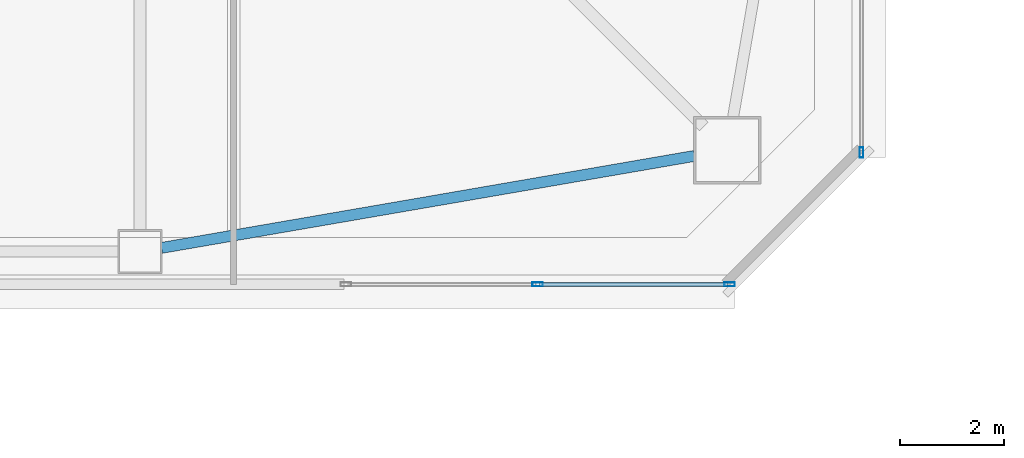
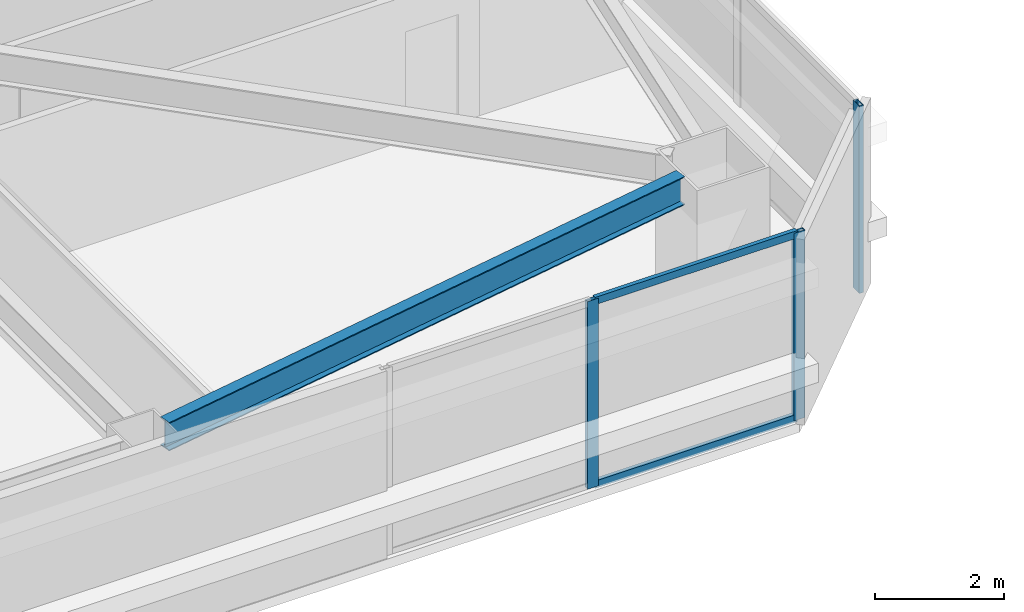
# One storey, part 8 of 44: 5 members, 1 beam, 2 elements without a shape of their own.
"""IFC4 building model written with IfcOpenShell, lengths in metres."""

from ifc_helpers import new_model, si_unit, direction, frame, origin, origin_2d, place, context, subcontext, project, spatial, hollow_rectangle, i_section, extrude, material, material_profile, profile_set, type_object, element, aggregate, save


model = new_model("IFC4")

# Units and contexts
model_context = context("Model", 3, precision=1e-05, world=origin(), true_north=direction((0.0, 1.0)))
body_context = subcontext(model_context, "Body", "Model", "MODEL_VIEW")
ifc_project = project(units=[si_unit("LENGTHUNIT", "METRE"), si_unit("AREAUNIT", "SQUARE_METRE"), si_unit("VOLUMEUNIT", "CUBIC_METRE"), si_unit("PLANEANGLEUNIT", "RADIAN"), si_unit("MASSUNIT", "GRAM", prefix="KILO")], contexts=[model_context])

# Site, building, storey
site_placement = place(None, origin())
site = spatial("IfcSite", under=ifc_project, at=site_placement, CompositionType="ELEMENT")
building_placement = place(site_placement, origin())
building = spatial("IfcBuilding", under=site, at=building_placement, Name="Tashvorn Skyway Center", CompositionType="ELEMENT")
storey_placement = place(building_placement, frame((0.0, 0.0, 128.60009765625)))
storey = spatial("IfcBuildingStorey", under=building, at=storey_placement, Name="L34", CompositionType="ELEMENT", Elevation=128.60009765625)

# Beam
ifc_material_1 = material(Name="Steel ASTM A992 Grade 50", Category="steel")
ifc_material_profile_1 = material_profile(ifc_material_1, i_section(OverallWidth=0.2109375, OverallDepth=0.5390625, WebThickness=0.01171875, FlangeThickness=0.018798828125, at=origin_2d()), Name="W21X73")
ifc_profile_set_1 = profile_set([ifc_material_profile_1], Name="Steel ASTM A992 Grade 50")
beam_type = type_object("IfcBeamType", Name="BM-SPANDREL-W21X73", PredefinedType="SPANDREL", material=ifc_profile_set_1)
beam_placement = place(storey_placement, frame((47.81396484375, 13.42138671875, 3.100341796875), z_axis=(0.985432458462, 0.170067250846, 0.0), x_axis=(-0.170067250846, 0.985432458462, 0.0)))
element("IfcBeam", 1, at=beam_placement, inside=storey, type_object=beam_type, Name="Tower 1 L34 Spandrel Beam 03", PredefinedType="SPANDREL", context=body_context, shape_type="SweptSolid", body=[
    extrude(i_section(OverallWidth=0.2109375, OverallDepth=0.5390625, WebThickness=0.01171875, FlangeThickness=0.018798828125, at=origin_2d()), origin(), (0.0, 0.0, 1.0), 10.402099609375),
])

# Curtain wall, members
ifc_material_2 = material(Name="Thermally broken bronze-anodized aluminium 6063-T6", Category="aluminium")
curtain_wall_type = type_object("IfcCurtainWallType", Name="CW-CW-Z3", PredefinedType="NOTDEFINED", material=ifc_material_2)
curtain_wall_1_placement = place(storey_placement, origin())
curtain_wall_1 = element("IfcCurtainWall", 2, at=curtain_wall_1_placement, inside=storey, type_object=curtain_wall_type, Name="Tower 1 L34 South Unitised Curtain Wall Glazing Group 1", PredefinedType="NOTDEFINED")
ifc_material_profile_2 = material_profile(ifc_material_2, hollow_rectangle(XDim=0.074951171875, YDim=0.199951171875, WallThickness=0.00439453125, at=origin_2d()), Name="ALU-MULL-75x200")
ifc_profile_set_2 = profile_set([ifc_material_profile_2], Name="Thermally broken bronze-anodized aluminium 6063-T6")
member_type_1 = type_object("IfcMemberType", Name="CWM-CW-Z3", PredefinedType="MULLION", material=ifc_profile_set_2)
member_1_placement = place(storey_placement, frame((58.742431640625, 12.719970703125, 0.0), z_axis=(0.0, 0.0, 1.0), x_axis=(0.0, -1.0, 0.0)))
member_1 = element("IfcMember", 3, at=member_1_placement, type_object=member_type_1, Name="CW-Z3 mullion 1", PredefinedType="MULLION", context=body_context, shape_type="SweptSolid", body=[
    extrude(hollow_rectangle(XDim=0.074951171875, YDim=0.199951171875, WallThickness=0.00439453125, at=origin_2d()), origin(), (0.0, 0.0, 1.0), 3.5498046875),
])
member_2_placement = place(storey_placement, frame((55.051025390625, 12.719970703125, 0.0), z_axis=(0.0, 0.0, 1.0), x_axis=(0.0, -1.0, 0.0)))
member_2 = element("IfcMember", 4, at=member_2_placement, type_object=member_type_1, Name="CW-Z3 mullion 2", PredefinedType="MULLION", context=body_context, shape_type="SweptSolid", body=[
    extrude(hollow_rectangle(XDim=0.074951171875, YDim=0.199951171875, WallThickness=0.00439453125, at=origin_2d()), origin(), (0.0, 0.0, 1.0), 3.5498046875),
])

# Curtain wall, member
curtain_wall_2_placement = place(storey_placement, origin())
curtain_wall_2 = element("IfcCurtainWall", 5, at=curtain_wall_2_placement, inside=storey, type_object=curtain_wall_type, Name="Tower 1 L34 East Unitised Curtain Wall Glazing Group 3", PredefinedType="NOTDEFINED")
member_3_placement = place(storey_placement, frame((61.280029296875, 15.257568359375, 0.0), z_axis=(0.0, 0.0, 1.0), x_axis=(1.0, 0.0, 0.0)))
member_3 = element("IfcMember", 6, at=member_3_placement, type_object=member_type_1, Name="CW-Z3 mullion 3", PredefinedType="MULLION", context=body_context, shape_type="SweptSolid", body=[
    extrude(hollow_rectangle(XDim=0.074951171875, YDim=0.199951171875, WallThickness=0.00439453125, at=origin_2d()), origin(), (0.0, 0.0, 1.0), 3.5498046875),
])
aggregate(curtain_wall_2, [member_3])

# Member
ifc_material_profile_3 = material_profile(ifc_material_2, hollow_rectangle(XDim=0.074951171875, YDim=0.139892578125, WallThickness=0.004150390625, at=origin_2d()), Name="ALU-TRAN-75x140")
ifc_profile_set_3 = profile_set([ifc_material_profile_3], Name="Thermally broken bronze-anodized aluminium 6063-T6")
member_type_2 = type_object("IfcMemberType", Name="CWT-CW-Z3", PredefinedType="USERDEFINED", material=ifc_profile_set_3)
member_4_placement = place(storey_placement, frame((58.705078125, 12.719970703125, 0.037353515625), z_axis=(-1.0, 0.0, 0.0), x_axis=(0.0, -1.0, 0.0)))
member_4 = element("IfcMember", 7, at=member_4_placement, type_object=member_type_2, Name="CW-Z3 transom 1.1", ObjectType="TRANSOM", PredefinedType="USERDEFINED", context=body_context, shape_type="SweptSolid", body=[
    extrude(hollow_rectangle(XDim=0.074951171875, YDim=0.139892578125, WallThickness=0.004150390625, at=origin_2d()), origin(), (0.0, 0.0, 1.0), 3.616455078125),
])

member_5_placement = place(storey_placement, frame((58.705078125, 12.719970703125, 3.512451171875), z_axis=(-1.0, 0.0, 0.0), x_axis=(0.0, -1.0, 0.0)))
member_5 = element("IfcMember", 8, at=member_5_placement, type_object=member_type_2, Name="CW-Z3 transom 1.2", ObjectType="TRANSOM", PredefinedType="USERDEFINED", context=body_context, shape_type="SweptSolid", body=[
    extrude(hollow_rectangle(XDim=0.074951171875, YDim=0.139892578125, WallThickness=0.004150390625, at=origin_2d()), origin(), (0.0, 0.0, 1.0), 3.616455078125),
])

aggregate(curtain_wall_1, [member_1, member_2, member_4, member_5])

save(model, "model.ifc")
